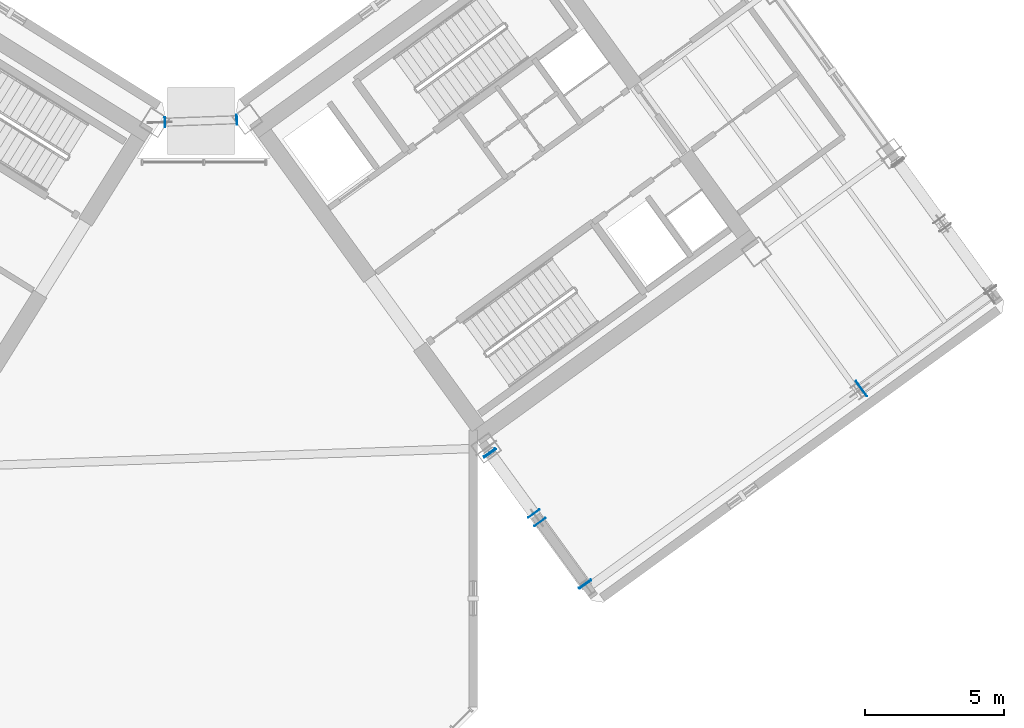
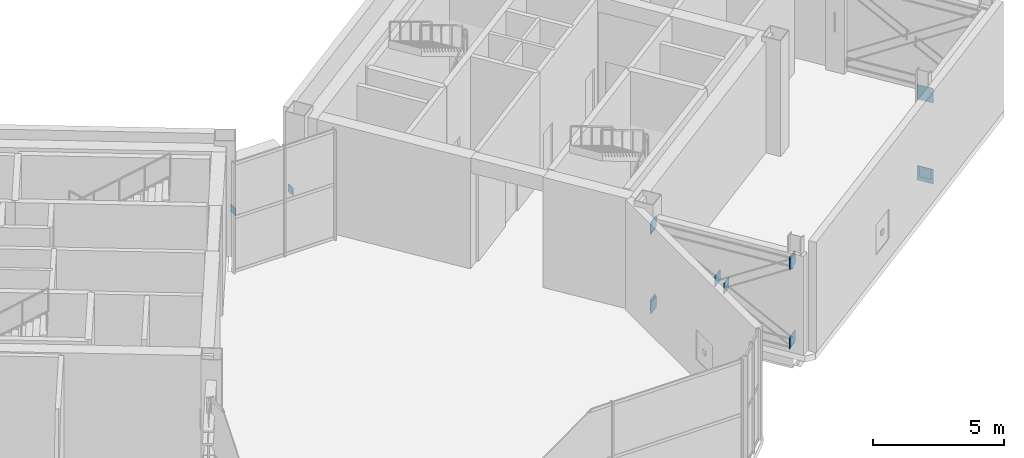
# One storey, part 19 of 30: 15 plates.
"""IFC4 building model written with IfcOpenShell, lengths in metres."""

from ifc_helpers import new_model, si_unit, direction, frame, origin, origin_2d, place, context, subcontext, project, spatial, rectangle, extrude, source, transform, mapped, material, layer, layer_set, type_object, element, save


model = new_model("IFC4")

# Units and contexts
model_context = context("Model", 3, precision=1e-05, world=origin(), true_north=direction((0.0, 1.0)))
body_context = subcontext(model_context, "Body", "Model", "MODEL_VIEW")
ifc_project = project(units=[si_unit("LENGTHUNIT", "METRE"), si_unit("AREAUNIT", "SQUARE_METRE"), si_unit("VOLUMEUNIT", "CUBIC_METRE"), si_unit("PLANEANGLEUNIT", "RADIAN"), si_unit("MASSUNIT", "GRAM", prefix="KILO")], contexts=[model_context])

# Site, building, storey
site_placement = place(None, origin())
site = spatial("IfcSite", under=ifc_project, at=site_placement, CompositionType="ELEMENT")
building_placement = place(site_placement, origin())
building = spatial("IfcBuilding", under=site, at=building_placement, Name="Tlacorven Tower", CompositionType="ELEMENT")
storey_placement = place(building_placement, frame((0.0, 0.0, 169.5)))
storey = spatial("IfcBuildingStorey", under=building, at=storey_placement, Name="L43", CompositionType="ELEMENT", Elevation=169.5)

# Plates
ifc_material = material(Name="Steel S460M", Category="steel")
ifc_layer_1 = layer(ifc_material, 0.02001953125)
ifc_layer_set_1 = layer_set([ifc_layer_1], Name="Steel S460M")
plate_type_1 = type_object("IfcPlateType", Name="PL-CAP-END2", PredefinedType="USERDEFINED", material=ifc_layer_set_1)
shared_shape_1 = source(origin(), body_context, "Body", "SweptSolid", [
    extrude(rectangle(XDim=0.02001953125, YDim=0.514892578125, at=origin_2d()), origin(), (0.0, 0.0, 1.0), 0.514892578125),
])
for number, where, z_axis, x_axis, name in (
    (1, (52.846435546875, 12.579345703125, 0.1923828125), (0.0, 0.0, 1.0), (0.587785262106, -0.809016987245, 0.0), "L43 hollow end cap plate OUT-L43-E1-B 1"),
    (2, (56.252685546875, 7.890869140625, 0.1923828125), (0.0, 0.0, 1.0), (0.587785262106, -0.809016987245, 0.0), "L43 hollow end cap plate OUT-L43-E1-B 2"),
    (3, (52.846435546875, 12.579345703125, 3.97265625), (0.0, 0.0, 1.0), (0.587785262106, -0.809016987245, 0.0), "L43 hollow end cap plate OUT-L43-E1-T 1"),
    (4, (56.252685546875, 7.890869140625, 3.97265625), (0.0, 0.0, 1.0), (0.587785262106, -0.809016987245, 0.0), "L43 hollow end cap plate OUT-L43-E1-T 2"),
):
    element("IfcPlate", number, at=place(storey_placement, frame(where, z_axis=z_axis, x_axis=x_axis)), inside=storey, type_object=plate_type_1, Name=name, ObjectType="END PLATE", PredefinedType="USERDEFINED", context=body_context, shape_type="MappedRepresentation", body=[
        mapped(shared_shape_1, transform((0.0, 0.0, 0.0), scale=1.0)),
    ])
shared_shape_2 = source(origin(), body_context, "Body", "SweptSolid", [
    extrude(rectangle(XDim=0.02001953125, YDim=0.49609375, at=origin_2d()), origin(), (0.0, 0.0, 1.0), 0.49609375),
])
for number, where, z_axis, x_axis, name in (
    (5, (52.825927734375, 12.607666015625, 0.326904296875), (0.0, 0.0, 1.0), (0.587785177668, -0.809017048593, 0.0), "L43 hollow end cap plate OUT-L43-E1-D1 1"),
    (6, (56.266845703125, 7.87158203125, 3.89599609375), (0.0, 0.0, 1.0), (0.587785177668, -0.809017048593, 0.0), "L43 hollow end cap plate OUT-L43-E1-D1 2"),
    (7, (52.825927734375, 12.607666015625, 3.85693359375), (0.0, 0.0, 1.0), (0.587783849087, -0.809018013861, 0.0), "L43 hollow end cap plate OUT-L43-E1-D2A 1"),
    (8, (54.417236328125, 10.41748046875, 2.20654296875), (0.0, 0.0, 1.0), (0.587783849087, -0.809018013861, 0.0), "L43 hollow end cap plate OUT-L43-E1-D2A 2"),
    (9, (54.637939453125, 10.113525390625, 1.9775390625), (0.0, 0.0, 1.0), (0.587786631534, -0.809015992295, 0.0), "L43 hollow end cap plate OUT-L43-E1-D2B 1"),
    (10, (56.266845703125, 7.87158203125, 0.287841796875), (0.0, 0.0, 1.0), (0.587786631534, -0.809015992295, 0.0), "L43 hollow end cap plate OUT-L43-E1-D2B 2"),
):
    element("IfcPlate", number, at=place(storey_placement, frame(where, z_axis=z_axis, x_axis=x_axis)), inside=storey, type_object=plate_type_1, Name=name, ObjectType="END PLATE", PredefinedType="USERDEFINED", context=body_context, shape_type="MappedRepresentation", body=[
        mapped(shared_shape_2, transform((0.0, 0.0, 0.0), scale=1.0)),
    ])
ifc_layer_2 = layer(ifc_material, 0.02392578125)
ifc_layer_set_2 = layer_set([ifc_layer_2], Name="Steel S460M")
plate_type_2 = type_object("IfcPlateType", Name="PL-CAP-END1", PredefinedType="USERDEFINED", material=ifc_layer_set_2)
shared_shape_3 = source(origin(), body_context, "Body", "SweptSolid", [
    extrude(rectangle(XDim=0.02392578125, YDim=0.679931640625, at=origin_2d()), origin(), (0.0, 0.0, 1.0), 0.679931640625),
])
for number, where, z_axis, x_axis, name in (
    (11, (66.19140625, 14.907958984375, 0.10986328125), (0.0, 0.0, 1.0), (0.80901700447, 0.587785238398, 0.0), "L43 hollow end cap plate BLT-L43-E1-B 1"),
    (12, (66.19140625, 14.907958984375, 3.89013671875), (0.0, 0.0, 1.0), (0.80901700447, 0.587785238398, 0.0), "L43 hollow end cap plate BLT-L43-E1-T 1"),
):
    element("IfcPlate", number, at=place(storey_placement, frame(where, z_axis=z_axis, x_axis=x_axis)), inside=storey, type_object=plate_type_2, Name=name, ObjectType="END PLATE", PredefinedType="USERDEFINED", context=body_context, shape_type="MappedRepresentation", body=[
        mapped(shared_shape_3, transform((0.0, 0.0, 0.0), scale=1.0)),
    ])
shared_shape_4 = source(origin(), body_context, "Body", "SweptSolid", [
    extrude(rectangle(XDim=0.02392578125, YDim=0.486328125, at=origin_2d()), origin(), (0.0, 0.0, 1.0), 0.486328125),
])
plate_placement = place(storey_placement, frame((66.1845703125, 14.90283203125, 0.305419921875), z_axis=(0.0, 0.0, 1.0), x_axis=(0.809016912294, 0.587785365267, 0.0)))
element("IfcPlate", 13, at=plate_placement, inside=storey, type_object=plate_type_2, Name="L43 hollow end cap plate BLT-L43-E1-D1 1", ObjectType="END PLATE", PredefinedType="USERDEFINED", context=body_context, shape_type="MappedRepresentation", body=[
    mapped(shared_shape_4, transform((0.0, 0.0, 0.0), scale=1.0)),
])
shared_shape_5 = source(origin(), body_context, "Body", "SweptSolid", [
    extrude(rectangle(XDim=0.02392578125, YDim=0.35302734375, at=origin_2d()), origin(), (0.0, 0.0, 1.0), 0.35302734375),
])
for number, where, z_axis, x_axis, name in (
    (14, (41.162841796875, 24.481689453125, 1.573486328125), (0.0, 0.0, 1.0), (0.999390830681, 0.034899391837, 0.0), "L43 hollow end cap plate TRB-L43-RING 1"),
    (15, (43.743896484375, 24.57177734375, 1.573486328125), (0.0, 0.0, 1.0), (0.999390830681, 0.034899391837, 0.0), "L43 hollow end cap plate TRB-L43-RING 2"),
):
    element("IfcPlate", number, at=place(storey_placement, frame(where, z_axis=z_axis, x_axis=x_axis)), inside=storey, type_object=plate_type_2, Name=name, ObjectType="END PLATE", PredefinedType="USERDEFINED", context=body_context, shape_type="MappedRepresentation", body=[
        mapped(shared_shape_5, transform((0.0, 0.0, 0.0), scale=1.0)),
    ])

save(model, "model.ifc")
